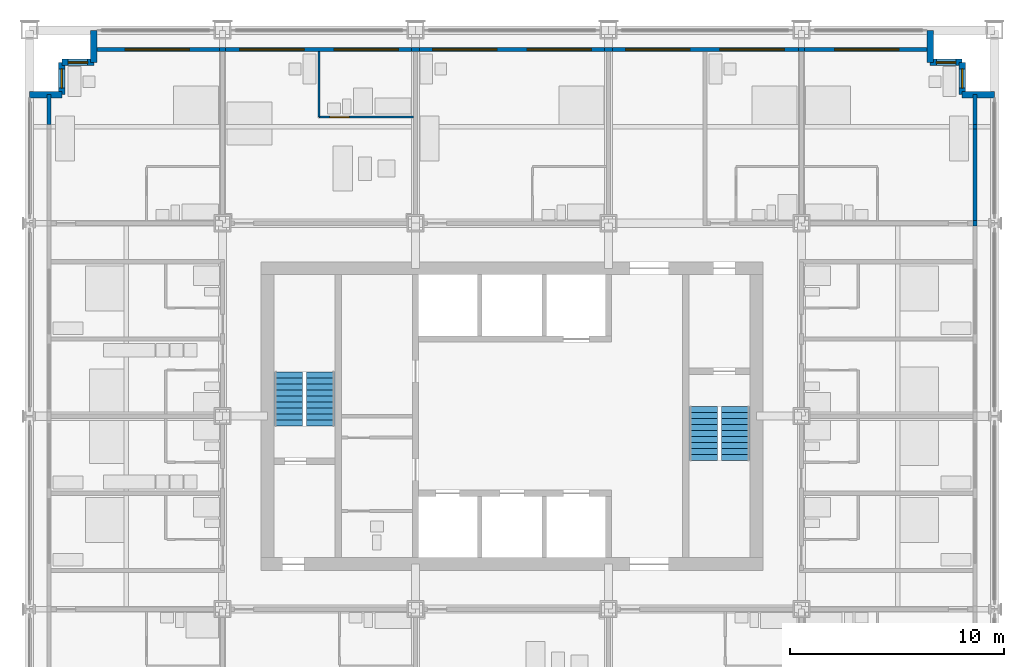
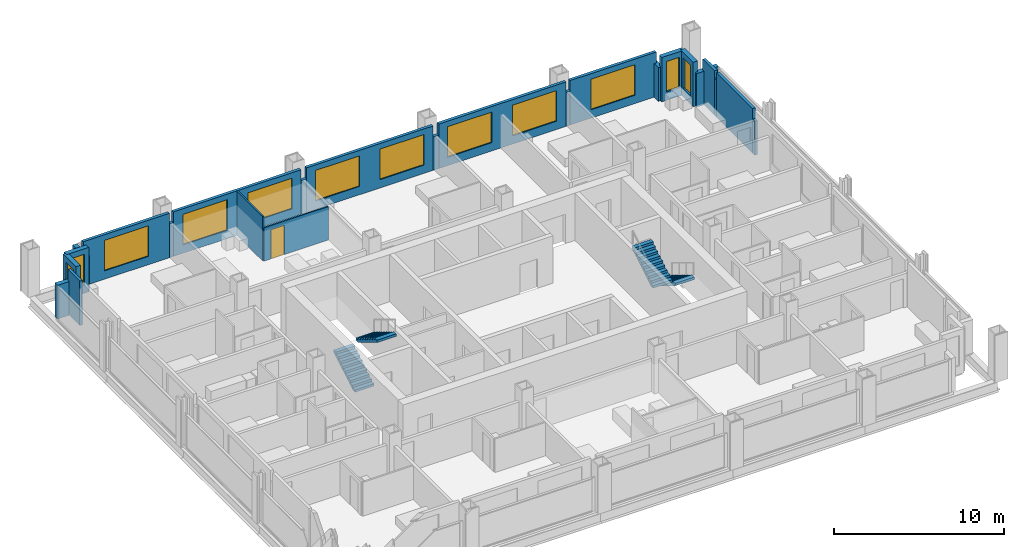
# One storey, part 13 of 16: 24 walls, 12 windows, 4 stair flights, 1 door, 13 openings, 2 elements without a shape of their own.
"""IFC4 building model written with IfcOpenShell, lengths in metres."""

import ifcopenshell
import ifcopenshell.guid

model = None  # the IFC model being written
_history = None  # IfcOwnerHistory: only IFC2X3 demands one
_inside = {}  # id of a spatial element -> (the spatial element, [elements in it])
_under = {}  # id of a project, library or spatial element -> (it, [spatial elements below it])
_declared = {}  # id of a project -> (the project, [libraries it declares])
_typed = {}  # id of a type object -> (the type object, [elements of that type])
_made_of = {}  # id of a material, layer set ... -> (it, [elements and type objects made of it])


def new_model(schema):
    """Start an empty IFC model of exactly this schema.

    Asked for "IFC4X3", IfcOpenShell would pick the latest addendum, in which some entities
    have other attributes; the version numbers below select the first issue.
    IFC2X3 requires an IfcOwnerHistory on every rooted entity: one is made here for all.
    """
    global model, _history
    if schema == "IFC4X3":
        model = ifcopenshell.file(schema_version=(4, 3, 0, 0))
    else:
        model = ifcopenshell.file(schema=schema)
    _inside.clear()
    _under.clear()
    _declared.clear()
    _typed.clear()
    _made_of.clear()
    _history = None
    if model.schema == "IFC2X3":
        org = make("IfcOrganization", Name="unknown")
        user = make(
            "IfcPersonAndOrganization",
            ThePerson=make("IfcPerson", FamilyName="unknown"),
            TheOrganization=org,
        )
        app = make(
            "IfcApplication",
            ApplicationDeveloper=org,
            Version="unknown",
            ApplicationFullName="unknown",
            ApplicationIdentifier="unknown",
        )
        _history = make(
            "IfcOwnerHistory",
            OwningUser=user,
            OwningApplication=app,
            ChangeAction="ADDED",
            CreationDate=0,
        )
    return model


def make(cls, **values):
    """One entity of the class cls with the attributes given. An attribute that is None is left unset."""
    return model.create_entity(
        cls, **{name: value for name, value in values.items() if value is not None}
    )


def rooted(cls, **values):
    """An entity with a GlobalId (a new one), such as an element, a storey or a relation."""
    return make(cls, GlobalId=ifcopenshell.guid.new(), OwnerHistory=_history, **values)


def si_unit(unit_type, name, prefix=None):
    """IfcSIUnit, for example si_unit("LENGTHUNIT", "METRE", prefix="MILLI")."""
    return make("IfcSIUnit", UnitType=unit_type, Prefix=prefix, Name=name)


def assignment(units):
    """IfcUnitAssignment: the units of a project."""
    return None if units is None else make("IfcUnitAssignment", Units=units)


def point(xyz):
    """IfcCartesianPoint."""
    return None if xyz is None else make("IfcCartesianPoint", Coordinates=xyz)


def direction(xyz):
    """IfcDirection."""
    return None if xyz is None else make("IfcDirection", DirectionRatios=xyz)


def frame(location, z_axis=None, x_axis=None):
    """IfcAxis2Placement3D, a coordinate frame: its origin and axes. An axis left out is left unset."""
    return make(
        "IfcAxis2Placement3D",
        Location=point(location),
        Axis=direction(z_axis),
        RefDirection=direction(x_axis),
    )


def frame_2d(location, x_axis=None):
    """IfcAxis2Placement2D, a coordinate frame in the plane: its origin and x axis."""
    return make(
        "IfcAxis2Placement2D", Location=point(location), RefDirection=direction(x_axis)
    )


def origin():
    """The frame at (0, 0, 0) with its axes left unset."""
    return frame((0.0, 0.0, 0.0))


def place(relative_to, where):
    """IfcLocalPlacement: puts the frame where relative to a parent placement (None: the world)."""
    return make(
        "IfcLocalPlacement", PlacementRelTo=relative_to, RelativePlacement=where
    )


def context(
    kind, dimensions, precision=None, world=None, true_north=None, identifier=None
):
    """IfcGeometricRepresentationContext, for example the 3D "Model" context."""
    return make(
        "IfcGeometricRepresentationContext",
        ContextIdentifier=identifier,
        ContextType=kind,
        CoordinateSpaceDimension=dimensions,
        Precision=precision,
        WorldCoordinateSystem=world,
        TrueNorth=true_north,
    )


def subcontext(parent, identifier, kind, view, scale=None):
    """IfcGeometricRepresentationSubContext, for example "Body" below "Model"."""
    return make(
        "IfcGeometricRepresentationSubContext",
        ContextIdentifier=identifier,
        ContextType=kind,
        ParentContext=parent,
        TargetScale=scale,
        TargetView=view,
    )


def project(units=None, contexts=None):
    """IfcProject with its units and contexts."""
    return rooted(
        "IfcProject",
        Name="project",
        RepresentationContexts=contexts,
        UnitsInContext=assignment(units),
    )


def spatial(cls, under=None, at=None, **own):
    """A site, building, storey or space (cls), placed at a placement, below another one or the project."""
    s = rooted(cls, ObjectPlacement=at, **own)
    if under is not None:
        _under.setdefault(under.id(), (under, []))[1].append(s)
    return s


def polyline(points):
    """IfcPolyline through the points."""
    return make("IfcPolyline", Points=[point(p) for p in points])


def profile(cls, at=None, kind="AREA", **sizes):
    """A parametric profile (cls). Its sizes go by their IFC names, for example OverallWidth=200.0."""
    return make(cls, ProfileType=kind, Position=at, **sizes)


def rectangle(**sizes):
    """IfcRectangleProfileDef."""
    return profile("IfcRectangleProfileDef", **sizes)


def outline(outer, holes=None, kind="AREA"):
    """IfcArbitraryClosedProfileDef: a profile drawn as a closed curve; with holes, ...WithVoids."""
    if holes is None:
        return make("IfcArbitraryClosedProfileDef", ProfileType=kind, OuterCurve=outer)
    return make(
        "IfcArbitraryProfileDefWithVoids",
        ProfileType=kind,
        OuterCurve=outer,
        InnerCurves=holes,
    )


def extrude(swept, where, along, depth):
    """IfcExtrudedAreaSolid: the profile swept, set in the frame where, extruded along a direction by depth."""
    return make(
        "IfcExtrudedAreaSolid",
        SweptArea=swept,
        Position=where,
        ExtrudedDirection=direction(along),
        Depth=depth,
    )


def shape(context_of_items, identifier, shape_type, items):
    """IfcShapeRepresentation: the items that make up one representation, for example the "Body"."""
    return make(
        "IfcShapeRepresentation",
        ContextOfItems=context_of_items,
        RepresentationIdentifier=identifier,
        RepresentationType=shape_type,
        Items=items,
    )


def material(Name=None, Category=None):
    """IfcMaterial."""
    return make("IfcMaterial", Name=Name, Category=Category)


def layer(
    of_material, thickness, ventilated=None, Name=None, Category=None, Priority=None
):
    """IfcMaterialLayer: one layer of a wall or slab, of a material (None: an air gap)."""
    return make(
        "IfcMaterialLayer",
        Material=of_material,
        LayerThickness=thickness,
        IsVentilated=ventilated,
        Name=Name,
        Category=Category,
        Priority=Priority,
    )


def layer_set(layers, Name=None):
    """IfcMaterialLayerSet."""
    return make("IfcMaterialLayerSet", MaterialLayers=layers, LayerSetName=Name)


def made_of(thing, what):
    """Note that an element or type object is made of a material, layer set ...; save() writes the relation."""
    if what is not None:
        _made_of.setdefault(what.id(), (what, []))[1].append(thing)
    return thing


def type_object(cls, material=None, **own):
    """A type object (cls), such as IfcWallType, which elements share."""
    return made_of(rooted(cls, **own), material)


def element(
    cls,
    number,
    at=None,
    inside=None,
    cuts=None,
    type_object=None,
    material=None,
    context=None,
    identifier="Body",
    shape_type=None,
    held_by="IfcProductDefinitionShape",
    body=None,
    shapes=None,
    **own,
):
    """One element of the class cls, such as IfcWall. Its Tag is "e" and its number.

    at: its placement. inside: the storey or other place that contains it. cuts: it is an
    opening in that element (IfcRelVoidsElement). A single representation is given by context,
    identifier, shape_type and body (its items); several are given by shapes. held_by: the class
    of the entity that holds the representations. save() writes the other relations.
    """
    e = rooted(cls, Tag="e%d" % number, ObjectPlacement=at, **own)
    if body is not None:
        shapes = [shape(context, identifier, shape_type, body)]
    if shapes is not None:
        e.Representation = make(held_by, Representations=shapes)
    if inside is not None:
        _inside.setdefault(inside.id(), (inside, []))[1].append(e)
    if cuts is not None:
        rooted(
            "IfcRelVoidsElement", RelatingBuildingElement=cuts, RelatedOpeningElement=e
        )
    if type_object is not None:
        _typed.setdefault(type_object.id(), (type_object, []))[1].append(e)
    return made_of(e, material)


def fill(opening, filler):
    """IfcRelFillsElement: the door or window that sits in an opening."""
    return rooted(
        "IfcRelFillsElement",
        RelatingOpeningElement=opening,
        RelatedBuildingElement=filler,
    )


def aggregate(whole, parts):
    """IfcRelAggregates: a whole, such as a stair, and the parts it consists of."""
    return rooted("IfcRelAggregates", RelatingObject=whole, RelatedObjects=parts)


def save(model, path):
    """Write the relations noted so far, then the file.

    IfcRelAggregates (storeys below a building ...), IfcRelContainedInSpatialStructure (elements
    in a storey), IfcRelDefinesByType, IfcRelAssociatesMaterial and IfcRelDeclares: one each for
    every whole, place, type object, material and project.
    """
    for whole, parts in _under.values():
        aggregate(whole, parts)
    for where, things in _inside.values():
        rooted(
            "IfcRelContainedInSpatialStructure",
            RelatedElements=things,
            RelatingStructure=where,
        )
    for kind, things in _typed.values():
        rooted("IfcRelDefinesByType", RelatedObjects=things, RelatingType=kind)
    for what, things in _made_of.values():
        rooted("IfcRelAssociatesMaterial", RelatedObjects=things, RelatingMaterial=what)
    for by, libraries in _declared.values():
        rooted("IfcRelDeclares", RelatingContext=by, RelatedDefinitions=libraries)
    model.write(path)


model = new_model("IFC4")

# Units and contexts
model_context = context("Model", 3, precision=1e-05, world=origin(), true_north=direction((0.0, 1.0)))
body_context = subcontext(model_context, "Body", "Model", "MODEL_VIEW")
ifc_project = project(units=[si_unit("LENGTHUNIT", "METRE"), si_unit("AREAUNIT", "SQUARE_METRE"), si_unit("VOLUMEUNIT", "CUBIC_METRE"), si_unit("PLANEANGLEUNIT", "RADIAN"), si_unit("MASSUNIT", "GRAM", prefix="KILO")], contexts=[model_context])

# Site, building, storey
site_placement = place(None, origin())
site = spatial("IfcSite", under=ifc_project, at=site_placement, CompositionType="ELEMENT")
building_placement = place(site_placement, origin())
building = spatial("IfcBuilding", under=site, at=building_placement, Name="Loomwork Tower", CompositionType="ELEMENT")
storey_placement = place(building_placement, frame((0.0, 0.0, 107.800048828125)))
storey = spatial("IfcBuildingStorey", under=building, at=storey_placement, Name="L28", CompositionType="ELEMENT", Elevation=107.800048828125)

# Wall, opening, door
ifc_material_1 = material(Name="Cement board on steel studs", Category="steel")
ifc_layer_1 = layer(ifc_material_1, 0.10009765625)
ifc_layer_set_1 = layer_set([ifc_layer_1], Name="En-suite partition 100")
wall_type_1 = type_object("IfcWallType", Name="En-suite partition 100", PredefinedType="PARTITIONING", material=ifc_layer_set_1)
wall_1_placement = place(storey_placement, frame((13.5, 31.949951171875, 0.0), z_axis=(0.0, 0.0, 1.0), x_axis=(1.0, 0.0, 0.0)))
wall_1 = element("IfcWall", 1, at=wall_1_placement, inside=storey, type_object=wall_type_1, Name="Spa bathroom wall L28 room 7", PredefinedType="PARTITIONING", context=body_context, shape_type="SweptSolid", body=[
    extrude(rectangle(XDim=4.39990234375, YDim=0.10009765625, at=frame_2d((2.199951171875, 0.0))), origin(), (0.0, 0.0, 1.0), 2.404052734375),
])
opening_1_placement = place(wall_1_placement, frame((0.5, 0.0, 0.0)))
opening_1 = element("IfcOpeningElement", 2, at=opening_1_placement, cuts=wall_1, Name="Opening D2", PredefinedType="OPENING", context=body_context, shape_type="SweptSolid", body=[
    extrude(rectangle(XDim=0.89990234375, YDim=2.10009765625, at=frame_2d((0.449951171875, 1.050048828125))), frame((0.0, 0.06005859375, 0.0), z_axis=(0.0, -1.0, 0.0), x_axis=(1.0, 0.0, 0.0)), (0.0, 0.0, 1.0), 0.1201171875),
])
ifc_material_2 = material(Name="Hollow metal door and frame")
door_type = type_object("IfcDoorType", Name="En-suite door 900", OperationType="SINGLE_SWING_LEFT", PredefinedType="DOOR", material=ifc_material_2)
door_placement = place(opening_1_placement, origin())
door = element("IfcDoor", 3, at=door_placement, inside=storey, type_object=door_type, Name="Spa bathroom door room 7", OperationType="SINGLE_SWING_LEFT", OverallHeight=2.10009765625, OverallWidth=0.89990234375, PredefinedType="DOOR", context=body_context, shape_type="SweptSolid", body=[
    extrude(rectangle(XDim=0.89990234375, YDim=2.10009765625, at=frame_2d((0.449951171875, 1.050048828125))), frame((0.0, 0.02490234375, 0.0), z_axis=(0.0, -1.0, 0.0), x_axis=(1.0, 0.0, 0.0)), (0.0, 0.0, 1.0), 0.050048828125),
])
fill(opening_1, door)

# Wall
wall_2_placement = place(storey_placement, frame((13.5, 31.949951171875, 0.0), z_axis=(0.0, 0.0, 1.0), x_axis=(0.0, 1.0, 0.0)))
element("IfcWall", 4, at=wall_2_placement, inside=storey, type_object=wall_type_1, Name="Spa bathroom side wall L28 room 7", PredefinedType="PARTITIONING", context=body_context, shape_type="SweptSolid", body=[
    extrude(rectangle(XDim=3.050048828125, YDim=0.10009765625, at=frame_2d((1.52490234375, 0.0))), origin(), (0.0, 0.0, 1.0), 3.199951171875),
])

# Wall, opening, window
ifc_material_3 = material(Name="Insulated steel stud wall with gypsum lining", Category="steel")
ifc_layer_2 = layer(ifc_material_3, 0.199951171875)
ifc_layer_set_2 = layer_set([ifc_layer_2], Name="Inner skin wall 200")
wall_type_2 = type_object("IfcWallType", Name="Inner skin wall 200", PredefinedType="SOLIDWALL", material=ifc_layer_set_2)
wall_3_placement = place(storey_placement, frame((3.0, 35.10009765625, 0.0), z_axis=(0.0, 0.0, 1.0), x_axis=(1.0, 0.0, 0.0)))
wall_3 = element("IfcWall", 5, at=wall_3_placement, inside=storey, type_object=wall_type_2, Name="Inner skin wall N", PredefinedType="SOLIDWALL", context=body_context, shape_type="SweptSolid", body=[
    extrude(rectangle(XDim=5.86474609375, YDim=0.199951171875, at=frame_2d((2.932373046875, 0.0))), origin(), (0.0, 0.0, 1.0), 3.199951171875),
])
opening_2_placement = place(wall_3_placement, frame((1.449951171875, 0.0, 0.60009765625)))
opening_2 = element("IfcOpeningElement", 6, at=opening_2_placement, cuts=wall_3, Name="Opening CH1", PredefinedType="OPENING", context=body_context, shape_type="SweptSolid", body=[
    extrude(rectangle(XDim=3.0, YDim=2.199951171875, at=frame_2d((1.5, 1.10009765625))), frame((0.0, 0.10986328125, 0.0), z_axis=(0.0, -1.0, 0.0), x_axis=(1.0, 0.0, 0.0)), (0.0, 0.0, 1.0), 0.219970703125),
])
ifc_material_4 = material(Name="Aluminium frame with clear insulated glass", Category="aluminium")
window_type_1 = type_object("IfcWindowType", Name="Chicago window 3000", PartitioningType="TRIPLE_PANEL_VERTICAL", PredefinedType="WINDOW", material=ifc_material_4)
window_1_placement = place(opening_2_placement, origin())
window_1 = element("IfcWindow", 7, at=window_1_placement, inside=storey, type_object=window_type_1, Name="Chicago window L28 bay 6", OverallHeight=2.199951171875, OverallWidth=3.0, PartitioningType="TRIPLE_PANEL_VERTICAL", PredefinedType="WINDOW", context=body_context, shape_type="SweptSolid", body=[
    extrude(rectangle(XDim=3.0, YDim=2.199951171875, at=frame_2d((1.5, 1.10009765625))), frame((0.0, 0.030029296875, 0.0), z_axis=(0.0, -1.0, 0.0), x_axis=(1.0, 0.0, 0.0)), (0.0, 0.0, 1.0), 0.06005859375),
])
fill(opening_2, window_1)

# Walls
wall_4_placement = place(storey_placement, frame((0.89990234375, 31.607421875, 0.0), z_axis=(0.0, 0.0, 1.0), x_axis=(0.0, 1.0, 0.0)))
element("IfcWall", 8, at=wall_4_placement, inside=storey, type_object=wall_type_2, Name="Inner skin wall W bay 11", PredefinedType="SOLIDWALL", context=body_context, shape_type="SweptSolid", body=[
    extrude(rectangle(XDim=1.392578125, YDim=0.199951171875, at=frame_2d((0.6962890625, 0.0))), origin(), (0.0, 0.0, 1.0), 3.199951171875),
])
wall_5_placement = place(storey_placement, frame((8.86474609375, 35.10009765625, 0.0), z_axis=(0.0, 0.0, 1.0), x_axis=(1.0, 0.0, 0.0)))
element("IfcWall", 9, at=wall_5_placement, inside=storey, type_object=wall_type_2, Name="Inner skin wall N bay 2", PredefinedType="SOLIDWALL", context=body_context, shape_type="SweptSolid", body=[
    extrude(rectangle(XDim=0.2705078125, YDim=0.199951171875, at=frame_2d((0.13525390625, 0.0))), origin(), (0.0, 0.0, 1.0), 2.43798828125),
])

# Wall, openings, windows
wall_6_placement = place(storey_placement, frame((9.13525390625, 35.10009765625, 0.0), z_axis=(0.0, 0.0, 1.0), x_axis=(1.0, 0.0, 0.0)))
wall_6 = element("IfcWall", 10, at=wall_6_placement, inside=storey, type_object=wall_type_2, Name="Inner skin wall N bay 3", PredefinedType="SOLIDWALL", context=body_context, shape_type="SweptSolid", body=[
    extrude(rectangle(XDim=8.6708984375, YDim=0.199951171875, at=frame_2d((4.33544921875, 0.0))), origin(), (0.0, 0.0, 1.0), 3.199951171875),
])
opening_3_placement = place(wall_6_placement, frame((0.664794921875, 0.0, 0.60009765625)))
opening_3 = element("IfcOpeningElement", 11, at=opening_3_placement, cuts=wall_6, Name="Opening CH1", PredefinedType="OPENING", context=body_context, shape_type="SweptSolid", body=[
    extrude(rectangle(XDim=3.0, YDim=2.199951171875, at=frame_2d((1.5, 1.10009765625))), frame((0.0, 0.10986328125, 0.0), z_axis=(0.0, -1.0, 0.0), x_axis=(1.0, 0.0, 0.0)), (0.0, 0.0, 1.0), 0.219970703125),
])
opening_4_placement = place(wall_6_placement, frame((5.064697265625, 0.0, 0.60009765625)))
opening_4 = element("IfcOpeningElement", 12, at=opening_4_placement, cuts=wall_6, Name="Opening CH1", PredefinedType="OPENING", context=body_context, shape_type="SweptSolid", body=[
    extrude(rectangle(XDim=3.0, YDim=2.199951171875, at=frame_2d((1.5, 1.10009765625))), frame((0.0, 0.10986328125, 0.0), z_axis=(0.0, -1.0, 0.0), x_axis=(1.0, 0.0, 0.0)), (0.0, 0.0, 1.0), 0.219970703125),
])
window_2_placement = place(opening_3_placement, origin())
window_2 = element("IfcWindow", 13, at=window_2_placement, inside=storey, type_object=window_type_1, Name="Chicago window L28 bay 7", OverallHeight=2.199951171875, OverallWidth=3.0, PartitioningType="TRIPLE_PANEL_VERTICAL", PredefinedType="WINDOW", context=body_context, shape_type="SweptSolid", body=[
    extrude(rectangle(XDim=3.0, YDim=2.199951171875, at=frame_2d((1.5, 1.10009765625))), frame((0.0, 0.030029296875, 0.0), z_axis=(0.0, -1.0, 0.0), x_axis=(1.0, 0.0, 0.0)), (0.0, 0.0, 1.0), 0.06005859375),
])
fill(opening_3, window_2)
window_3_placement = place(opening_4_placement, origin())
window_3 = element("IfcWindow", 14, at=window_3_placement, inside=storey, type_object=window_type_1, Name="Chicago window L28 bay 7", OverallHeight=2.199951171875, OverallWidth=3.0, PartitioningType="TRIPLE_PANEL_VERTICAL", PredefinedType="WINDOW", context=body_context, shape_type="SweptSolid", body=[
    extrude(rectangle(XDim=3.0, YDim=2.199951171875, at=frame_2d((1.5, 1.10009765625))), frame((0.0, 0.030029296875, 0.0), z_axis=(0.0, -1.0, 0.0), x_axis=(1.0, 0.0, 0.0)), (0.0, 0.0, 1.0), 0.06005859375),
])
fill(opening_4, window_3)

# Wall
wall_7_placement = place(storey_placement, frame((17.80615234375, 35.10009765625, 0.0), z_axis=(0.0, 0.0, 1.0), x_axis=(1.0, 0.0, 0.0)))
element("IfcWall", 15, at=wall_7_placement, inside=storey, type_object=wall_type_2, Name="Inner skin wall N bay 4", PredefinedType="SOLIDWALL", context=body_context, shape_type="SweptSolid", body=[
    extrude(rectangle(XDim=0.3876953125, YDim=0.199951171875, at=frame_2d((0.19384765625, 0.0))), origin(), (0.0, 0.0, 1.0), 2.404052734375),
])

# Wall, openings, windows
wall_8_placement = place(storey_placement, frame((18.19384765625, 35.10009765625, 0.0), z_axis=(0.0, 0.0, 1.0), x_axis=(1.0, 0.0, 0.0)))
wall_8 = element("IfcWall", 16, at=wall_8_placement, inside=storey, type_object=wall_type_2, Name="Inner skin wall N bay 5", PredefinedType="SOLIDWALL", context=body_context, shape_type="SweptSolid", body=[
    extrude(rectangle(XDim=8.6123046875, YDim=0.199951171875, at=frame_2d((4.30615234375, 0.0))), origin(), (0.0, 0.0, 1.0), 3.199951171875),
])
opening_5_placement = place(wall_8_placement, frame((0.606201171875, 0.0, 0.60009765625)))
opening_5 = element("IfcOpeningElement", 17, at=opening_5_placement, cuts=wall_8, Name="Opening CH1", PredefinedType="OPENING", context=body_context, shape_type="SweptSolid", body=[
    extrude(rectangle(XDim=3.0, YDim=2.199951171875, at=frame_2d((1.5, 1.10009765625))), frame((0.0, 0.10986328125, 0.0), z_axis=(0.0, -1.0, 0.0), x_axis=(1.0, 0.0, 0.0)), (0.0, 0.0, 1.0), 0.219970703125),
])
opening_6_placement = place(wall_8_placement, frame((5.006103515625, 0.0, 0.60009765625)))
opening_6 = element("IfcOpeningElement", 18, at=opening_6_placement, cuts=wall_8, Name="Opening CH1", PredefinedType="OPENING", context=body_context, shape_type="SweptSolid", body=[
    extrude(rectangle(XDim=3.0, YDim=2.199951171875, at=frame_2d((1.5, 1.10009765625))), frame((0.0, 0.10986328125, 0.0), z_axis=(0.0, -1.0, 0.0), x_axis=(1.0, 0.0, 0.0)), (0.0, 0.0, 1.0), 0.219970703125),
])
window_4_placement = place(opening_5_placement, origin())
window_4 = element("IfcWindow", 19, at=window_4_placement, inside=storey, type_object=window_type_1, Name="Chicago window L28 bay 8", OverallHeight=2.199951171875, OverallWidth=3.0, PartitioningType="TRIPLE_PANEL_VERTICAL", PredefinedType="WINDOW", context=body_context, shape_type="SweptSolid", body=[
    extrude(rectangle(XDim=3.0, YDim=2.199951171875, at=frame_2d((1.5, 1.10009765625))), frame((0.0, 0.030029296875, 0.0), z_axis=(0.0, -1.0, 0.0), x_axis=(1.0, 0.0, 0.0)), (0.0, 0.0, 1.0), 0.06005859375),
])
fill(opening_5, window_4)
window_5_placement = place(opening_6_placement, origin())
window_5 = element("IfcWindow", 20, at=window_5_placement, inside=storey, type_object=window_type_1, Name="Chicago window L28 bay 8", OverallHeight=2.199951171875, OverallWidth=3.0, PartitioningType="TRIPLE_PANEL_VERTICAL", PredefinedType="WINDOW", context=body_context, shape_type="SweptSolid", body=[
    extrude(rectangle(XDim=3.0, YDim=2.199951171875, at=frame_2d((1.5, 1.10009765625))), frame((0.0, 0.030029296875, 0.0), z_axis=(0.0, -1.0, 0.0), x_axis=(1.0, 0.0, 0.0)), (0.0, 0.0, 1.0), 0.06005859375),
])
fill(opening_6, window_5)

# Wall
wall_9_placement = place(storey_placement, frame((26.80615234375, 35.10009765625, 0.0), z_axis=(0.0, 0.0, 1.0), x_axis=(1.0, 0.0, 0.0)))
element("IfcWall", 21, at=wall_9_placement, inside=storey, type_object=wall_type_2, Name="Inner skin wall N bay 6", PredefinedType="SOLIDWALL", context=body_context, shape_type="SweptSolid", body=[
    extrude(rectangle(XDim=0.3876953125, YDim=0.199951171875, at=frame_2d((0.19384765625, 0.0))), origin(), (0.0, 0.0, 1.0), 2.404052734375),
])

# Wall, openings, windows
wall_10_placement = place(storey_placement, frame((27.19384765625, 35.10009765625, 0.0), z_axis=(0.0, 0.0, 1.0), x_axis=(1.0, 0.0, 0.0)))
wall_10 = element("IfcWall", 22, at=wall_10_placement, inside=storey, type_object=wall_type_2, Name="Inner skin wall N bay 7", PredefinedType="SOLIDWALL", context=body_context, shape_type="SweptSolid", body=[
    extrude(rectangle(XDim=8.670654296875, YDim=0.199951171875, at=frame_2d((4.33544921875, 0.0))), origin(), (0.0, 0.0, 1.0), 3.199951171875),
])
opening_7_placement = place(wall_10_placement, frame((0.606201171875, 0.0, 0.60009765625)))
opening_7 = element("IfcOpeningElement", 23, at=opening_7_placement, cuts=wall_10, Name="Opening CH1", PredefinedType="OPENING", context=body_context, shape_type="SweptSolid", body=[
    extrude(rectangle(XDim=3.0, YDim=2.199951171875, at=frame_2d((1.5, 1.10009765625))), frame((0.0, 0.10986328125, 0.0), z_axis=(0.0, -1.0, 0.0), x_axis=(1.0, 0.0, 0.0)), (0.0, 0.0, 1.0), 0.219970703125),
])
opening_8_placement = place(wall_10_placement, frame((5.006103515625, 0.0, 0.60009765625)))
opening_8 = element("IfcOpeningElement", 24, at=opening_8_placement, cuts=wall_10, Name="Opening CH1", PredefinedType="OPENING", context=body_context, shape_type="SweptSolid", body=[
    extrude(rectangle(XDim=3.0, YDim=2.199951171875, at=frame_2d((1.5, 1.10009765625))), frame((0.0, 0.10986328125, 0.0), z_axis=(0.0, -1.0, 0.0), x_axis=(1.0, 0.0, 0.0)), (0.0, 0.0, 1.0), 0.219970703125),
])
window_6_placement = place(opening_7_placement, origin())
window_6 = element("IfcWindow", 25, at=window_6_placement, inside=storey, type_object=window_type_1, Name="Chicago window L28 bay 9", OverallHeight=2.199951171875, OverallWidth=3.0, PartitioningType="TRIPLE_PANEL_VERTICAL", PredefinedType="WINDOW", context=body_context, shape_type="SweptSolid", body=[
    extrude(rectangle(XDim=3.0, YDim=2.199951171875, at=frame_2d((1.5, 1.10009765625))), frame((0.0, 0.030029296875, 0.0), z_axis=(0.0, -1.0, 0.0), x_axis=(1.0, 0.0, 0.0)), (0.0, 0.0, 1.0), 0.06005859375),
])
fill(opening_7, window_6)
window_7_placement = place(opening_8_placement, origin())
window_7 = element("IfcWindow", 26, at=window_7_placement, inside=storey, type_object=window_type_1, Name="Chicago window L28 bay 9", OverallHeight=2.199951171875, OverallWidth=3.0, PartitioningType="TRIPLE_PANEL_VERTICAL", PredefinedType="WINDOW", context=body_context, shape_type="SweptSolid", body=[
    extrude(rectangle(XDim=3.0, YDim=2.199951171875, at=frame_2d((1.5, 1.10009765625))), frame((0.0, 0.030029296875, 0.0), z_axis=(0.0, -1.0, 0.0), x_axis=(1.0, 0.0, 0.0)), (0.0, 0.0, 1.0), 0.06005859375),
])
fill(opening_8, window_7)

# Wall
wall_11_placement = place(storey_placement, frame((35.864501953125, 35.10009765625, 0.0), z_axis=(0.0, 0.0, 1.0), x_axis=(1.0, 0.0, 0.0)))
element("IfcWall", 27, at=wall_11_placement, inside=storey, type_object=wall_type_2, Name="Inner skin wall N bay 8", PredefinedType="SOLIDWALL", context=body_context, shape_type="SweptSolid", body=[
    extrude(rectangle(XDim=0.27099609375, YDim=0.199951171875, at=frame_2d((0.135498046875, 0.0))), origin(), (0.0, 0.0, 1.0), 2.43798828125),
])

# Wall, opening, window
wall_12_placement = place(storey_placement, frame((36.135498046875, 35.10009765625, 0.0), z_axis=(0.0, 0.0, 1.0), x_axis=(1.0, 0.0, 0.0)))
wall_12 = element("IfcWall", 28, at=wall_12_placement, inside=storey, type_object=wall_type_2, Name="Inner skin wall N bay 9", PredefinedType="SOLIDWALL", context=body_context, shape_type="SweptSolid", body=[
    extrude(rectangle(XDim=5.864501953125, YDim=0.199951171875, at=frame_2d((2.93212890625, 0.0))), origin(), (0.0, 0.0, 1.0), 3.199951171875),
])
opening_9_placement = place(wall_12_placement, frame((1.41455078125, 0.0, 0.60009765625)))
opening_9 = element("IfcOpeningElement", 29, at=opening_9_placement, cuts=wall_12, Name="Opening CH1", PredefinedType="OPENING", context=body_context, shape_type="SweptSolid", body=[
    extrude(rectangle(XDim=3.0, YDim=2.199951171875, at=frame_2d((1.5, 1.10009765625))), frame((0.0, 0.10986328125, 0.0), z_axis=(0.0, -1.0, 0.0), x_axis=(1.0, 0.0, 0.0)), (0.0, 0.0, 1.0), 0.219970703125),
])
window_8_placement = place(opening_9_placement, origin())
window_8 = element("IfcWindow", 30, at=window_8_placement, inside=storey, type_object=window_type_1, Name="Chicago window L28 bay 10", OverallHeight=2.199951171875, OverallWidth=3.0, PartitioningType="TRIPLE_PANEL_VERTICAL", PredefinedType="WINDOW", context=body_context, shape_type="SweptSolid", body=[
    extrude(rectangle(XDim=3.0, YDim=2.199951171875, at=frame_2d((1.5, 1.10009765625))), frame((0.0, 0.030029296875, 0.0), z_axis=(0.0, -1.0, 0.0), x_axis=(1.0, 0.0, 0.0)), (0.0, 0.0, 1.0), 0.06005859375),
])
fill(opening_9, window_8)

# Walls
wall_13_placement = place(storey_placement, frame((44.10009765625, 26.86474609375, 0.0), z_axis=(0.0, 0.0, 1.0), x_axis=(0.0, 1.0, 0.0)))
element("IfcWall", 31, at=wall_13_placement, inside=storey, type_object=wall_type_2, Name="Inner skin wall E bay 8", PredefinedType="SOLIDWALL", context=body_context, shape_type="SweptSolid", body=[
    extrude(rectangle(XDim=0.2705078125, YDim=0.199951171875, at=frame_2d((0.13525390625, 0.0))), origin(), (0.0, 0.0, 1.0), 2.43798828125),
])
wall_14_placement = place(storey_placement, frame((44.10009765625, 27.13525390625, 0.0), z_axis=(0.0, 0.0, 1.0), x_axis=(0.0, 1.0, 0.0)))
element("IfcWall", 32, at=wall_14_placement, inside=storey, type_object=wall_type_2, Name="Inner skin wall E bay 9", PredefinedType="SOLIDWALL", context=body_context, shape_type="SweptSolid", body=[
    extrude(rectangle(XDim=4.25732421875, YDim=0.199951171875, at=frame_2d((2.128662109375, 0.0))), origin(), (0.0, 0.0, 1.0), 3.199951171875),
])
wall_15_placement = place(storey_placement, frame((44.10009765625, 31.392578125, 0.0), z_axis=(0.0, 0.0, 1.0), x_axis=(0.0, 1.0, 0.0)))
element("IfcWall", 33, at=wall_15_placement, inside=storey, type_object=wall_type_2, Name="Inner skin wall E bay 10", PredefinedType="SOLIDWALL", context=body_context, shape_type="SweptSolid", body=[
    extrude(rectangle(XDim=0.21484375, YDim=0.199951171875, at=frame_2d((0.107421875, 0.0))), origin(), (0.0, 0.0, 1.0), 2.660888671875),
])
wall_16_placement = place(storey_placement, frame((44.10009765625, 31.607421875, 0.0), z_axis=(0.0, 0.0, 1.0), x_axis=(0.0, 1.0, 0.0)))
element("IfcWall", 34, at=wall_16_placement, inside=storey, type_object=wall_type_2, Name="Inner skin wall E bay 11", PredefinedType="SOLIDWALL", context=body_context, shape_type="SweptSolid", body=[
    extrude(rectangle(XDim=1.392578125, YDim=0.199951171875, at=frame_2d((0.6962890625, 0.0))), origin(), (0.0, 0.0, 1.0), 3.199951171875),
])
ifc_material_5 = material(Name="Limestone on concrete masonry", Category="masonry")
ifc_layer_3 = layer(ifc_material_5, 0.300048828125)
ifc_layer_set_3 = layer_set([ifc_layer_3], Name="Limestone corner wall 300")
wall_type_3 = type_object("IfcWallType", Name="Limestone corner wall 300", PredefinedType="SOLIDWALL", material=ifc_layer_set_3)
wall_17_placement = place(storey_placement, frame((45.0, 33.0, 0.0), z_axis=(0.0, 0.0, 1.0), x_axis=(-1.0, 0.0, 0.0)))
element("IfcWall", 35, at=wall_17_placement, inside=storey, type_object=wall_type_3, Name="Stone corner wall NE 1", PredefinedType="SOLIDWALL", context=body_context, shape_type="SweptSolid", body=[
    extrude(rectangle(XDim=1.5, YDim=0.300048828125, at=frame_2d((0.75, 0.0))), origin(), (0.0, 0.0, 1.0), 2.419921875),
])

# Wall, opening, window
wall_18_placement = place(storey_placement, frame((43.5, 33.0, 0.0), z_axis=(0.0, 0.0, 1.0), x_axis=(0.0, 1.0, 0.0)))
wall_18 = element("IfcWall", 36, at=wall_18_placement, inside=storey, type_object=wall_type_3, Name="Stone corner wall NE 2", PredefinedType="SOLIDWALL", context=body_context, shape_type="SweptSolid", body=[
    extrude(rectangle(XDim=1.5, YDim=0.300048828125, at=frame_2d((0.75, 0.0))), origin(), (0.0, 0.0, 1.0), 3.199951171875),
])
opening_10_placement = place(wall_18_placement, frame((0.300048828125, 0.0, 0.60009765625)))
opening_10 = element("IfcOpeningElement", 37, at=opening_10_placement, cuts=wall_18, Name="Opening CH2", PredefinedType="OPENING", context=body_context, shape_type="SweptSolid", body=[
    extrude(rectangle(XDim=0.89990234375, YDim=2.199951171875, at=frame_2d((0.449951171875, 1.10009765625))), frame((0.0, 0.159912109375, 0.0), z_axis=(0.0, -1.0, 0.0), x_axis=(1.0, 0.0, 0.0)), (0.0, 0.0, 1.0), 0.320068359375),
])
ifc_material_6 = material(Name="Aluminium frame with clear insulated glass", Category="aluminium")
window_type_2 = type_object("IfcWindowType", Name="Corner window 900", PartitioningType="SINGLE_PANEL", PredefinedType="WINDOW", material=ifc_material_6)
window_9_placement = place(opening_10_placement, origin())
window_9 = element("IfcWindow", 38, at=window_9_placement, inside=storey, type_object=window_type_2, Name="Corner window NE", OverallHeight=2.199951171875, OverallWidth=0.89990234375, PartitioningType="SINGLE_PANEL", PredefinedType="WINDOW", context=body_context, shape_type="SweptSolid", body=[
    extrude(rectangle(XDim=0.89990234375, YDim=2.199951171875, at=frame_2d((0.449951171875, 1.10009765625))), frame((0.0, 0.030029296875, 0.0), z_axis=(0.0, -1.0, 0.0), x_axis=(1.0, 0.0, 0.0)), (0.0, 0.0, 1.0), 0.06005859375),
])
fill(opening_10, window_9)

wall_19_placement = place(storey_placement, frame((43.5, 34.5, 0.0), z_axis=(0.0, 0.0, 1.0), x_axis=(-1.0, 0.0, 0.0)))
wall_19 = element("IfcWall", 39, at=wall_19_placement, inside=storey, type_object=wall_type_3, Name="Stone corner wall NE 3", PredefinedType="SOLIDWALL", context=body_context, shape_type="SweptSolid", body=[
    extrude(rectangle(XDim=1.5, YDim=0.300048828125, at=frame_2d((0.75, 0.0))), origin(), (0.0, 0.0, 1.0), 3.199951171875),
])
opening_11_placement = place(wall_19_placement, frame((0.300048828125, 0.0, 0.60009765625)))
opening_11 = element("IfcOpeningElement", 40, at=opening_11_placement, cuts=wall_19, Name="Opening CH2", PredefinedType="OPENING", context=body_context, shape_type="SweptSolid", body=[
    extrude(rectangle(XDim=0.89990234375, YDim=2.199951171875, at=frame_2d((0.449951171875, 1.10009765625))), frame((0.0, 0.159912109375, 0.0), z_axis=(0.0, -1.0, 0.0), x_axis=(1.0, 0.0, 0.0)), (0.0, 0.0, 1.0), 0.320068359375),
])
window_10_placement = place(opening_11_placement, origin())
window_10 = element("IfcWindow", 41, at=window_10_placement, inside=storey, type_object=window_type_2, Name="Corner window NE", OverallHeight=2.199951171875, OverallWidth=0.89990234375, PartitioningType="SINGLE_PANEL", PredefinedType="WINDOW", context=body_context, shape_type="SweptSolid", body=[
    extrude(rectangle(XDim=0.89990234375, YDim=2.199951171875, at=frame_2d((0.449951171875, 1.10009765625))), frame((0.0, 0.030029296875, 0.0), z_axis=(0.0, -1.0, 0.0), x_axis=(1.0, 0.0, 0.0)), (0.0, 0.0, 1.0), 0.06005859375),
])
fill(opening_11, window_10)

# Walls
for number, where, z_axis, x_axis, name in (
    (42, (42.0, 34.5, 0.0), (0.0, 0.0, 1.0), (0.0, 1.0, 0.0), "Stone corner wall NE 4"),
    (43, (3.0, 36.0, 0.0), (0.0, 0.0, 1.0), (0.0, -1.0, 0.0), "Stone corner wall NW 1"),
):
    element("IfcWall", number, at=place(storey_placement, frame(where, z_axis=z_axis, x_axis=x_axis)), inside=storey, type_object=wall_type_3, Name=name, PredefinedType="SOLIDWALL", context=body_context, shape_type="SweptSolid", body=[
        extrude(rectangle(XDim=1.5, YDim=0.300048828125, at=frame_2d((0.75, 0.0))), origin(), (0.0, 0.0, 1.0), 2.419921875),
    ])

# Wall, opening, window
wall_20_placement = place(storey_placement, frame((3.0, 34.5, 0.0), z_axis=(0.0, 0.0, 1.0), x_axis=(-1.0, 0.0, 0.0)))
wall_20 = element("IfcWall", 44, at=wall_20_placement, inside=storey, type_object=wall_type_3, Name="Stone corner wall NW 2", PredefinedType="SOLIDWALL", context=body_context, shape_type="SweptSolid", body=[
    extrude(rectangle(XDim=1.5, YDim=0.300048828125, at=frame_2d((0.75, 0.0))), origin(), (0.0, 0.0, 1.0), 3.199951171875),
])
opening_12_placement = place(wall_20_placement, frame((0.300048828125, 0.0, 0.60009765625)))
opening_12 = element("IfcOpeningElement", 45, at=opening_12_placement, cuts=wall_20, Name="Opening CH2", PredefinedType="OPENING", context=body_context, shape_type="SweptSolid", body=[
    extrude(rectangle(XDim=0.89990234375, YDim=2.199951171875, at=frame_2d((0.449951171875, 1.10009765625))), frame((0.0, 0.159912109375, 0.0), z_axis=(0.0, -1.0, 0.0), x_axis=(1.0, 0.0, 0.0)), (0.0, 0.0, 1.0), 0.320068359375),
])
window_11_placement = place(opening_12_placement, origin())
window_11 = element("IfcWindow", 46, at=window_11_placement, inside=storey, type_object=window_type_2, Name="Corner window NW", OverallHeight=2.199951171875, OverallWidth=0.89990234375, PartitioningType="SINGLE_PANEL", PredefinedType="WINDOW", context=body_context, shape_type="SweptSolid", body=[
    extrude(rectangle(XDim=0.89990234375, YDim=2.199951171875, at=frame_2d((0.449951171875, 1.10009765625))), frame((0.0, 0.030029296875, 0.0), z_axis=(0.0, -1.0, 0.0), x_axis=(1.0, 0.0, 0.0)), (0.0, 0.0, 1.0), 0.06005859375),
])
fill(opening_12, window_11)

wall_21_placement = place(storey_placement, frame((1.5, 34.5, 0.0), z_axis=(0.0, 0.0, 1.0), x_axis=(0.0, -1.0, 0.0)))
wall_21 = element("IfcWall", 47, at=wall_21_placement, inside=storey, type_object=wall_type_3, Name="Stone corner wall NW 3", PredefinedType="SOLIDWALL", context=body_context, shape_type="SweptSolid", body=[
    extrude(rectangle(XDim=1.5, YDim=0.300048828125, at=frame_2d((0.75, 0.0))), origin(), (0.0, 0.0, 1.0), 3.199951171875),
])
opening_13_placement = place(wall_21_placement, frame((0.300048828125, 0.0, 0.60009765625)))
opening_13 = element("IfcOpeningElement", 48, at=opening_13_placement, cuts=wall_21, Name="Opening CH2", PredefinedType="OPENING", context=body_context, shape_type="SweptSolid", body=[
    extrude(rectangle(XDim=0.89990234375, YDim=2.199951171875, at=frame_2d((0.449951171875, 1.10009765625))), frame((0.0, 0.159912109375, 0.0), z_axis=(0.0, -1.0, 0.0), x_axis=(1.0, 0.0, 0.0)), (0.0, 0.0, 1.0), 0.320068359375),
])
window_12_placement = place(opening_13_placement, origin())
window_12 = element("IfcWindow", 49, at=window_12_placement, inside=storey, type_object=window_type_2, Name="Corner window NW", OverallHeight=2.199951171875, OverallWidth=0.89990234375, PartitioningType="SINGLE_PANEL", PredefinedType="WINDOW", context=body_context, shape_type="SweptSolid", body=[
    extrude(rectangle(XDim=0.89990234375, YDim=2.199951171875, at=frame_2d((0.449951171875, 1.10009765625))), frame((0.0, 0.030029296875, 0.0), z_axis=(0.0, -1.0, 0.0), x_axis=(1.0, 0.0, 0.0)), (0.0, 0.0, 1.0), 0.06005859375),
])
fill(opening_13, window_12)

# Wall
wall_22_placement = place(storey_placement, frame((1.5, 33.0, 0.0), z_axis=(0.0, 0.0, 1.0), x_axis=(-1.0, 0.0, 0.0)))
element("IfcWall", 50, at=wall_22_placement, inside=storey, type_object=wall_type_3, Name="Stone corner wall NW 4", PredefinedType="SOLIDWALL", context=body_context, shape_type="SweptSolid", body=[
    extrude(rectangle(XDim=1.5, YDim=0.300048828125, at=frame_2d((0.75, 0.0))), origin(), (0.0, 0.0, 1.0), 2.419921875),
])

# Stair, stair flights
ifc_material_7 = material(Name="Concrete 5000 psi (34 MPa) precast stair", Category="concrete")
stair_type_1 = type_object("IfcStairType", Name="Stair ST-A 20 risers 2850 wide", PredefinedType="HALF_TURN_STAIR", material=ifc_material_7)
stair_1_placement = place(storey_placement, origin())
stair_1 = element("IfcStair", 51, at=stair_1_placement, inside=storey, type_object=stair_type_1, Name="Stair A L28", PredefinedType="HALF_TURN_STAIR")
ifc_material_8 = material(Name="Concrete 5000 psi (34 MPa) precast stair", Category="concrete")
stair_flight_type_1 = type_object("IfcStairFlightType", Name="Stair flight ST-A 10 risers 1300 wide", PredefinedType="STRAIGHT", material=ifc_material_8)
stair_flight_1_placement = place(storey_placement, frame((12.074951171875, 17.550048828125, 0.0), z_axis=(0.0, 0.0, 1.0), x_axis=(0.0, 1.0, 0.0)))
stair_flight_1 = element("IfcStairFlight", 52, at=stair_flight_1_placement, type_object=stair_flight_type_1, Name="ST-A flight 1", NumberOfRisers=10, NumberOfTreads=9, PredefinedType="STRAIGHT", RiserHeight=0.17, TreadLength=0.28, context=body_context, shape_type="SweptSolid", body=[
    extrude(outline(polyline([(0.0, 0.0), (0.0, 0.169921875), (0.280029296875, 0.169921875), (0.280029296875, 0.340087890625), (0.56005859375, 0.340087890625), (0.56005859375, 0.510009765625), (0.840087890625, 0.510009765625), (0.840087890625, 0.679931640625), (1.1201171875, 0.679931640625), (1.1201171875, 0.85009765625), (1.39990234375, 0.85009765625), (1.39990234375, 1.02001953125), (1.679931640625, 1.02001953125), (1.679931640625, 1.18994140625), (1.9599609375, 1.18994140625), (1.9599609375, 1.360107421875), (2.239990234375, 1.360107421875), (2.239990234375, 1.530029296875), (2.52001953125, 1.530029296875), (2.52001953125, 1.699951171875), (2.52001953125, 1.354736328125), (0.288818359375, 0.0), (0.0, 0.0)])), frame((0.0, 0.64990234375, 0.0), z_axis=(0.0, -1.0, 0.0), x_axis=(1.0, 0.0, 0.0)), (0.0, 0.0, 1.0), 1.300048828125),
])
stair_flight_2_placement = place(storey_placement, frame((13.574951171875, 20.070068359375, 1.699951171875), z_axis=(0.0, 0.0, 1.0), x_axis=(0.0, -1.0, 0.0)))
stair_flight_2 = element("IfcStairFlight", 53, at=stair_flight_2_placement, type_object=stair_flight_type_1, Name="ST-A flight 2", NumberOfRisers=10, NumberOfTreads=9, PredefinedType="STRAIGHT", RiserHeight=0.17, TreadLength=0.28, context=body_context, shape_type="SweptSolid", body=[
    extrude(outline(polyline([(0.0, 0.0), (0.0, 0.169921875), (0.280029296875, 0.169921875), (0.280029296875, 0.340087890625), (0.56005859375, 0.340087890625), (0.56005859375, 0.510009765625), (0.840087890625, 0.510009765625), (0.840087890625, 0.679931640625), (1.1201171875, 0.679931640625), (1.1201171875, 0.85009765625), (1.39990234375, 0.85009765625), (1.39990234375, 1.02001953125), (1.679931640625, 1.02001953125), (1.679931640625, 1.18994140625), (1.9599609375, 1.18994140625), (1.9599609375, 1.360107421875), (2.239990234375, 1.360107421875), (2.239990234375, 1.530029296875), (2.52001953125, 1.530029296875), (2.52001953125, 1.699951171875), (2.52001953125, 1.354736328125), (0.288818359375, 0.0), (0.0, 0.0)])), frame((0.0, 0.64990234375, 0.0), z_axis=(0.0, -1.0, 0.0), x_axis=(1.0, 0.0, 0.0)), (0.0, 0.0, 1.0), 1.300048828125),
])
aggregate(stair_1, [stair_flight_1, stair_flight_2])

ifc_material_9 = material(Name="Concrete 5000 psi (34 MPa) precast stair", Category="concrete")
stair_type_2 = type_object("IfcStairType", Name="Stair ST-B 20 risers 2850 wide", PredefinedType="HALF_TURN_STAIR", material=ifc_material_9)
stair_2_placement = place(storey_placement, origin())
stair_2 = element("IfcStair", 54, at=stair_2_placement, inside=storey, type_object=stair_type_2, Name="Stair B L28", PredefinedType="HALF_TURN_STAIR")
ifc_material_10 = material(Name="Concrete 5000 psi (34 MPa) precast stair", Category="concrete")
stair_flight_type_2 = type_object("IfcStairFlightType", Name="Stair flight ST-B 10 risers 1300 wide", PredefinedType="STRAIGHT", material=ifc_material_10)
stair_flight_3_placement = place(storey_placement, frame((32.925048828125, 18.449951171875, 0.0), z_axis=(0.0, 0.0, 1.0), x_axis=(0.0, -1.0, 0.0)))
stair_flight_3 = element("IfcStairFlight", 55, at=stair_flight_3_placement, type_object=stair_flight_type_2, Name="ST-B flight 1", NumberOfRisers=10, NumberOfTreads=9, PredefinedType="STRAIGHT", RiserHeight=0.17, TreadLength=0.28, context=body_context, shape_type="SweptSolid", body=[
    extrude(outline(polyline([(0.0, 0.0), (0.0, 0.169921875), (0.280029296875, 0.169921875), (0.280029296875, 0.340087890625), (0.56005859375, 0.340087890625), (0.56005859375, 0.510009765625), (0.840087890625, 0.510009765625), (0.840087890625, 0.679931640625), (1.1201171875, 0.679931640625), (1.1201171875, 0.85009765625), (1.39990234375, 0.85009765625), (1.39990234375, 1.02001953125), (1.679931640625, 1.02001953125), (1.679931640625, 1.18994140625), (1.9599609375, 1.18994140625), (1.9599609375, 1.360107421875), (2.239990234375, 1.360107421875), (2.239990234375, 1.530029296875), (2.52001953125, 1.530029296875), (2.52001953125, 1.699951171875), (2.52001953125, 1.354736328125), (0.288818359375, 0.0), (0.0, 0.0)])), frame((0.0, 0.64990234375, 0.0), z_axis=(0.0, -1.0, 0.0), x_axis=(1.0, 0.0, 0.0)), (0.0, 0.0, 1.0), 1.300048828125),
])
stair_flight_4_placement = place(storey_placement, frame((31.425048828125, 15.929931640625, 1.699951171875), z_axis=(0.0, 0.0, 1.0), x_axis=(0.0, 1.0, 0.0)))
stair_flight_4 = element("IfcStairFlight", 56, at=stair_flight_4_placement, type_object=stair_flight_type_2, Name="ST-B flight 2", NumberOfRisers=10, NumberOfTreads=9, PredefinedType="STRAIGHT", RiserHeight=0.17, TreadLength=0.28, context=body_context, shape_type="SweptSolid", body=[
    extrude(outline(polyline([(0.0, 0.0), (0.0, 0.169921875), (0.280029296875, 0.169921875), (0.280029296875, 0.340087890625), (0.56005859375, 0.340087890625), (0.56005859375, 0.510009765625), (0.840087890625, 0.510009765625), (0.840087890625, 0.679931640625), (1.1201171875, 0.679931640625), (1.1201171875, 0.85009765625), (1.39990234375, 0.85009765625), (1.39990234375, 1.02001953125), (1.679931640625, 1.02001953125), (1.679931640625, 1.18994140625), (1.9599609375, 1.18994140625), (1.9599609375, 1.360107421875), (2.239990234375, 1.360107421875), (2.239990234375, 1.530029296875), (2.52001953125, 1.530029296875), (2.52001953125, 1.699951171875), (2.52001953125, 1.354736328125), (0.288818359375, 0.0), (0.0, 0.0)])), frame((0.0, 0.64990234375, 0.0), z_axis=(0.0, -1.0, 0.0), x_axis=(1.0, 0.0, 0.0)), (0.0, 0.0, 1.0), 1.300048828125),
])
aggregate(stair_2, [stair_flight_3, stair_flight_4])

save(model, "model.ifc")
